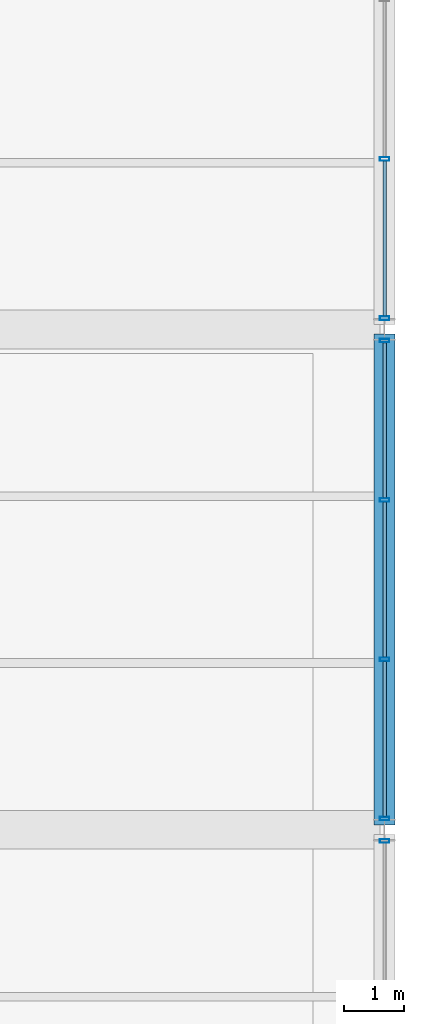
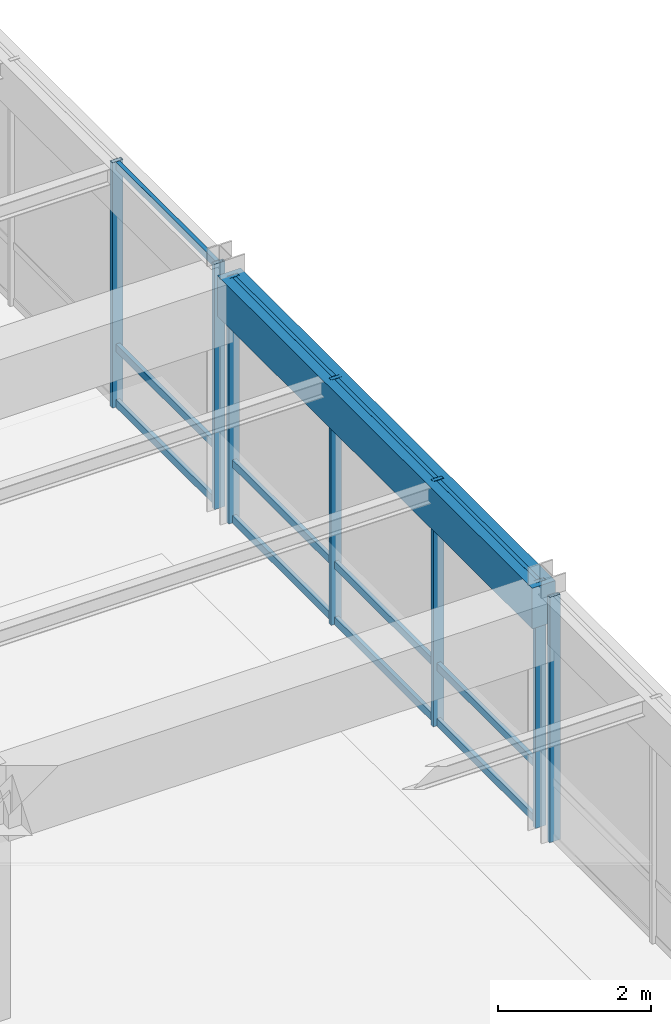
# One storey, part 80 of 138: 19 members, 1 beam, 3 elements without a shape of their own.
"""IFC4 building model written with IfcOpenShell, lengths in metres."""

from ifc_helpers import new_model, si_unit, direction, frame, origin, origin_2d, place, context, subcontext, project, spatial, rectangle, hollow_rectangle, extrude, material, material_profile, profile_set, type_object, element, aggregate, save


model = new_model("IFC4")

# Units and contexts
model_context = context("Model", 3, precision=1e-05, world=origin(), true_north=direction((0.0, 1.0)))
body_context = subcontext(model_context, "Body", "Model", "MODEL_VIEW")
ifc_project = project(units=[si_unit("LENGTHUNIT", "METRE"), si_unit("AREAUNIT", "SQUARE_METRE"), si_unit("VOLUMEUNIT", "CUBIC_METRE"), si_unit("PLANEANGLEUNIT", "RADIAN"), si_unit("MASSUNIT", "GRAM", prefix="KILO"), si_unit("THERMODYNAMICTEMPERATUREUNIT", "KELVIN"), si_unit("POWERUNIT", "WATT")], contexts=[model_context])

# Site, building, storey
site_placement = place(None, origin())
site = spatial("IfcSite", under=ifc_project, at=site_placement, CompositionType="ELEMENT")
building_placement = place(site_placement, origin())
building = spatial("IfcBuilding", under=site, at=building_placement, Name="Darbajah Civic Hall", CompositionType="ELEMENT")
storey_placement = place(building_placement, frame((0.0, 0.0, 9.60009765625)))
storey = spatial("IfcBuildingStorey", under=building, at=storey_placement, Name="L02", CompositionType="ELEMENT", Elevation=9.60009765625)

# Curtain wall, member
ifc_material_1 = material(Name="Anodised Bronze Aluminium and Low-E Glazing", Category="aluminium")
curtain_wall_type = type_object("IfcCurtainWallType", Name="Unitised Curtain Wall CW-94 8000x3900", PredefinedType="USERDEFINED", material=ifc_material_1)
curtain_wall_1_placement = place(storey_placement, origin())
curtain_wall_1 = element("IfcCurtainWall", 1, at=curtain_wall_1_placement, inside=storey, type_object=curtain_wall_type, Name="L02 unitised curtain wall CW-V3-L02-S3-B0", ObjectType="UNITISED CURTAIN WALL", PredefinedType="USERDEFINED")
ifc_material_2 = material(Name="Anodised Bronze Aluminium", Category="aluminium")
ifc_material_profile_1 = material_profile(ifc_material_2, hollow_rectangle(XDim=0.06005859375, YDim=0.159912109375, WallThickness=0.00341796875, at=origin_2d()), Name="ALU MULLION 60x160")
ifc_profile_set_1 = profile_set([ifc_material_profile_1], Name="Anodised Bronze Aluminium")
member_type_1 = type_object("IfcMemberType", Name="ALU MULLION 60x160", PredefinedType="MULLION", material=ifc_profile_set_1)
member_1_placement = place(storey_placement, frame((178.199951171875, 16.61181640625, 0.0), z_axis=(0.0, 0.0, 1.0), x_axis=(0.0, 1.0, 0.0)))
member_1 = element("IfcMember", 2, at=member_1_placement, type_object=member_type_1, Name="CW-V3-L02-S3-B0 mullion 4", PredefinedType="MULLION", context=body_context, shape_type="SweptSolid", body=[
    extrude(hollow_rectangle(XDim=0.06005859375, YDim=0.159912109375, WallThickness=0.00341796875, at=origin_2d()), origin(), (0.0, 0.0, 1.0), 3.919921875),
])
aggregate(curtain_wall_1, [member_1])

# Curtain wall, members
curtain_wall_2_placement = place(storey_placement, origin())
curtain_wall_2 = element("IfcCurtainWall", 3, at=curtain_wall_2_placement, inside=storey, type_object=curtain_wall_type, Name="L02 unitised curtain wall CW-V3-L02-S3-B1", ObjectType="UNITISED CURTAIN WALL", PredefinedType="USERDEFINED")
member_2_placement = place(storey_placement, frame((178.199951171875, 16.98828125, 0.0), z_axis=(0.0, 0.0, 1.0), x_axis=(0.0, 1.0, 0.0)))
member_2 = element("IfcMember", 4, at=member_2_placement, type_object=member_type_1, Name="CW-V3-L02-S3-B1 mullion 1", PredefinedType="MULLION", context=body_context, shape_type="SweptSolid", body=[
    extrude(hollow_rectangle(XDim=0.06005859375, YDim=0.159912109375, WallThickness=0.00341796875, at=origin_2d()), origin(), (0.0, 0.0, 1.0), 3.919921875),
])
member_3_placement = place(storey_placement, frame((178.199951171875, 19.662841796875, 0.0), z_axis=(0.0, 0.0, 1.0), x_axis=(0.0, 1.0, 0.0)))
member_3 = element("IfcMember", 5, at=member_3_placement, type_object=member_type_1, Name="CW-V3-L02-S3-B1 mullion 2", PredefinedType="MULLION", context=body_context, shape_type="SweptSolid", body=[
    extrude(hollow_rectangle(XDim=0.06005859375, YDim=0.159912109375, WallThickness=0.00341796875, at=origin_2d()), origin(), (0.0, 0.0, 1.0), 3.919921875),
])
member_4_placement = place(storey_placement, frame((178.199951171875, 22.337158203125, 0.0), z_axis=(0.0, 0.0, 1.0), x_axis=(0.0, 1.0, 0.0)))
member_4 = element("IfcMember", 6, at=member_4_placement, type_object=member_type_1, Name="CW-V3-L02-S3-B1 mullion 3", PredefinedType="MULLION", context=body_context, shape_type="SweptSolid", body=[
    extrude(hollow_rectangle(XDim=0.06005859375, YDim=0.159912109375, WallThickness=0.00341796875, at=origin_2d()), origin(), (0.0, 0.0, 1.0), 3.919921875),
])
member_5_placement = place(storey_placement, frame((178.199951171875, 25.01171875, 0.0), z_axis=(0.0, 0.0, 1.0), x_axis=(0.0, 1.0, 0.0)))
member_5 = element("IfcMember", 7, at=member_5_placement, type_object=member_type_1, Name="CW-V3-L02-S3-B1 mullion 4", PredefinedType="MULLION", context=body_context, shape_type="SweptSolid", body=[
    extrude(hollow_rectangle(XDim=0.06005859375, YDim=0.159912109375, WallThickness=0.00341796875, at=origin_2d()), origin(), (0.0, 0.0, 1.0), 3.919921875),
])

curtain_wall_3_placement = place(storey_placement, origin())
curtain_wall_3 = element("IfcCurtainWall", 8, at=curtain_wall_3_placement, inside=storey, type_object=curtain_wall_type, Name="L02 unitised curtain wall CW-V3-L02-S3-B2", ObjectType="UNITISED CURTAIN WALL", PredefinedType="USERDEFINED")
member_6_placement = place(storey_placement, frame((178.199951171875, 25.38818359375, 0.0), z_axis=(0.0, 0.0, 1.0), x_axis=(0.0, 1.0, 0.0)))
member_6 = element("IfcMember", 9, at=member_6_placement, type_object=member_type_1, Name="CW-V3-L02-S3-B2 mullion 1", PredefinedType="MULLION", context=body_context, shape_type="SweptSolid", body=[
    extrude(hollow_rectangle(XDim=0.06005859375, YDim=0.159912109375, WallThickness=0.00341796875, at=origin_2d()), origin(), (0.0, 0.0, 1.0), 3.919921875),
])
member_7_placement = place(storey_placement, frame((178.199951171875, 28.062744140625, 0.0), z_axis=(0.0, 0.0, 1.0), x_axis=(0.0, 1.0, 0.0)))
member_7 = element("IfcMember", 10, at=member_7_placement, type_object=member_type_1, Name="CW-V3-L02-S3-B2 mullion 2", PredefinedType="MULLION", context=body_context, shape_type="SweptSolid", body=[
    extrude(hollow_rectangle(XDim=0.06005859375, YDim=0.159912109375, WallThickness=0.00341796875, at=origin_2d()), origin(), (0.0, 0.0, 1.0), 3.919921875),
])

# Member
ifc_material_profile_2 = material_profile(ifc_material_2, hollow_rectangle(XDim=0.06005859375, YDim=0.1201171875, WallThickness=0.003173828125, at=origin_2d()), Name="ALU TRANSOM 60x120")
ifc_profile_set_2 = profile_set([ifc_material_profile_2], Name="Anodised Bronze Aluminium")
member_type_2 = type_object("IfcMemberType", Name="ALU TRANSOM 60x120", PredefinedType="USERDEFINED", material=ifc_profile_set_2)
member_8_placement = place(storey_placement, frame((178.199951171875, 17.023193359375, 0.059814453125), z_axis=(0.0, 1.0, 0.0), x_axis=(-1.0, 0.0, 0.0)))
member_8 = element("IfcMember", 11, at=member_8_placement, type_object=member_type_2, Name="CW-V3-L02-S3-B1 transom 1.1", ObjectType="TRANSOM", PredefinedType="USERDEFINED", context=body_context, shape_type="SweptSolid", body=[
    extrude(hollow_rectangle(XDim=0.06005859375, YDim=0.1201171875, WallThickness=0.003173828125, at=origin_2d()), origin(), (0.0, 0.0, 1.0), 2.6044921875),
])

member_9_placement = place(storey_placement, frame((178.199951171875, 17.023193359375, 0.949951171875), z_axis=(0.0, 1.0, 0.0), x_axis=(-1.0, 0.0, 0.0)))
member_9 = element("IfcMember", 12, at=member_9_placement, type_object=member_type_2, Name="CW-V3-L02-S3-B1 transom 1.2", ObjectType="TRANSOM", PredefinedType="USERDEFINED", context=body_context, shape_type="SweptSolid", body=[
    extrude(hollow_rectangle(XDim=0.06005859375, YDim=0.1201171875, WallThickness=0.003173828125, at=origin_2d()), origin(), (0.0, 0.0, 1.0), 2.6044921875),
])

member_10_placement = place(storey_placement, frame((178.199951171875, 17.023193359375, 3.85986328125), z_axis=(0.0, 1.0, 0.0), x_axis=(-1.0, 0.0, 0.0)))
member_10 = element("IfcMember", 13, at=member_10_placement, type_object=member_type_2, Name="CW-V3-L02-S3-B1 transom 1.3", ObjectType="TRANSOM", PredefinedType="USERDEFINED", context=body_context, shape_type="SweptSolid", body=[
    extrude(hollow_rectangle(XDim=0.06005859375, YDim=0.1201171875, WallThickness=0.003173828125, at=origin_2d()), origin(), (0.0, 0.0, 1.0), 2.6044921875),
])

member_11_placement = place(storey_placement, frame((178.199951171875, 19.69775390625, 0.059814453125), z_axis=(0.0, 1.0, 0.0), x_axis=(-1.0, 0.0, 0.0)))
member_11 = element("IfcMember", 14, at=member_11_placement, type_object=member_type_2, Name="CW-V3-L02-S3-B1 transom 2.1", ObjectType="TRANSOM", PredefinedType="USERDEFINED", context=body_context, shape_type="SweptSolid", body=[
    extrude(hollow_rectangle(XDim=0.06005859375, YDim=0.1201171875, WallThickness=0.003173828125, at=origin_2d()), origin(), (0.0, 0.0, 1.0), 2.6044921875),
])

member_12_placement = place(storey_placement, frame((178.199951171875, 19.69775390625, 0.949951171875), z_axis=(0.0, 1.0, 0.0), x_axis=(-1.0, 0.0, 0.0)))
member_12 = element("IfcMember", 15, at=member_12_placement, type_object=member_type_2, Name="CW-V3-L02-S3-B1 transom 2.2", ObjectType="TRANSOM", PredefinedType="USERDEFINED", context=body_context, shape_type="SweptSolid", body=[
    extrude(hollow_rectangle(XDim=0.06005859375, YDim=0.1201171875, WallThickness=0.003173828125, at=origin_2d()), origin(), (0.0, 0.0, 1.0), 2.6044921875),
])

member_13_placement = place(storey_placement, frame((178.199951171875, 19.69775390625, 3.85986328125), z_axis=(0.0, 1.0, 0.0), x_axis=(-1.0, 0.0, 0.0)))
member_13 = element("IfcMember", 16, at=member_13_placement, type_object=member_type_2, Name="CW-V3-L02-S3-B1 transom 2.3", ObjectType="TRANSOM", PredefinedType="USERDEFINED", context=body_context, shape_type="SweptSolid", body=[
    extrude(hollow_rectangle(XDim=0.06005859375, YDim=0.1201171875, WallThickness=0.003173828125, at=origin_2d()), origin(), (0.0, 0.0, 1.0), 2.6044921875),
])

member_14_placement = place(storey_placement, frame((178.199951171875, 22.372314453125, 0.059814453125), z_axis=(0.0, 1.0, 0.0), x_axis=(-1.0, 0.0, 0.0)))
member_14 = element("IfcMember", 17, at=member_14_placement, type_object=member_type_2, Name="CW-V3-L02-S3-B1 transom 3.1", ObjectType="TRANSOM", PredefinedType="USERDEFINED", context=body_context, shape_type="SweptSolid", body=[
    extrude(hollow_rectangle(XDim=0.06005859375, YDim=0.1201171875, WallThickness=0.003173828125, at=origin_2d()), origin(), (0.0, 0.0, 1.0), 2.6044921875),
])

member_15_placement = place(storey_placement, frame((178.199951171875, 22.372314453125, 0.949951171875), z_axis=(0.0, 1.0, 0.0), x_axis=(-1.0, 0.0, 0.0)))
member_15 = element("IfcMember", 18, at=member_15_placement, type_object=member_type_2, Name="CW-V3-L02-S3-B1 transom 3.2", ObjectType="TRANSOM", PredefinedType="USERDEFINED", context=body_context, shape_type="SweptSolid", body=[
    extrude(hollow_rectangle(XDim=0.06005859375, YDim=0.1201171875, WallThickness=0.003173828125, at=origin_2d()), origin(), (0.0, 0.0, 1.0), 2.6044921875),
])

member_16_placement = place(storey_placement, frame((178.199951171875, 22.372314453125, 3.85986328125), z_axis=(0.0, 1.0, 0.0), x_axis=(-1.0, 0.0, 0.0)))
member_16 = element("IfcMember", 19, at=member_16_placement, type_object=member_type_2, Name="CW-V3-L02-S3-B1 transom 3.3", ObjectType="TRANSOM", PredefinedType="USERDEFINED", context=body_context, shape_type="SweptSolid", body=[
    extrude(hollow_rectangle(XDim=0.06005859375, YDim=0.1201171875, WallThickness=0.003173828125, at=origin_2d()), origin(), (0.0, 0.0, 1.0), 2.6044921875),
])

aggregate(curtain_wall_2, [member_2, member_3, member_4, member_5, member_8, member_9, member_10, member_11, member_12, member_13, member_14, member_15, member_16])

member_17_placement = place(storey_placement, frame((178.199951171875, 25.42333984375, 0.059814453125), z_axis=(0.0, 1.0, 0.0), x_axis=(-1.0, 0.0, 0.0)))
member_17 = element("IfcMember", 20, at=member_17_placement, type_object=member_type_2, Name="CW-V3-L02-S3-B2 transom 1.1", ObjectType="TRANSOM", PredefinedType="USERDEFINED", context=body_context, shape_type="SweptSolid", body=[
    extrude(hollow_rectangle(XDim=0.06005859375, YDim=0.1201171875, WallThickness=0.003173828125, at=origin_2d()), origin(), (0.0, 0.0, 1.0), 2.6044921875),
])

member_18_placement = place(storey_placement, frame((178.199951171875, 25.42333984375, 0.949951171875), z_axis=(0.0, 1.0, 0.0), x_axis=(-1.0, 0.0, 0.0)))
member_18 = element("IfcMember", 21, at=member_18_placement, type_object=member_type_2, Name="CW-V3-L02-S3-B2 transom 1.2", ObjectType="TRANSOM", PredefinedType="USERDEFINED", context=body_context, shape_type="SweptSolid", body=[
    extrude(hollow_rectangle(XDim=0.06005859375, YDim=0.1201171875, WallThickness=0.003173828125, at=origin_2d()), origin(), (0.0, 0.0, 1.0), 2.6044921875),
])

member_19_placement = place(storey_placement, frame((178.199951171875, 25.42333984375, 3.85986328125), z_axis=(0.0, 1.0, 0.0), x_axis=(-1.0, 0.0, 0.0)))
member_19 = element("IfcMember", 22, at=member_19_placement, type_object=member_type_2, Name="CW-V3-L02-S3-B2 transom 1.3", ObjectType="TRANSOM", PredefinedType="USERDEFINED", context=body_context, shape_type="SweptSolid", body=[
    extrude(hollow_rectangle(XDim=0.06005859375, YDim=0.1201171875, WallThickness=0.003173828125, at=origin_2d()), origin(), (0.0, 0.0, 1.0), 2.6044921875),
])

aggregate(curtain_wall_3, [member_6, member_7, member_17, member_18, member_19])

# Beam
ifc_material_3 = material(Name="Concrete C45/55", Category="concrete")
ifc_material_profile_3 = material_profile(ifc_material_3, rectangle(XDim=0.35009765625, YDim=0.64990234375, at=origin_2d()), Name="RC SPANDREL 350x650")
ifc_profile_set_3 = profile_set([ifc_material_profile_3], Name="Concrete C45/55")
beam_type = type_object("IfcBeamType", Name="RC SPANDREL 350x650", PredefinedType="SPANDREL", material=ifc_profile_set_3)
beam_placement = place(storey_placement, frame((178.199951171875, 16.8798828125, 3.594970703125), z_axis=(0.0, 1.0, 0.0), x_axis=(-1.0, 0.0, 0.0)))
element("IfcBeam", 23, at=beam_placement, inside=storey, type_object=beam_type, Name="L02 beam SP-3565", PredefinedType="SPANDREL", context=body_context, shape_type="SweptSolid", body=[
    extrude(rectangle(XDim=0.35009765625, YDim=0.64990234375, at=origin_2d()), origin(), (0.0, 0.0, 1.0), 8.240234375),
])

save(model, "model.ifc")
